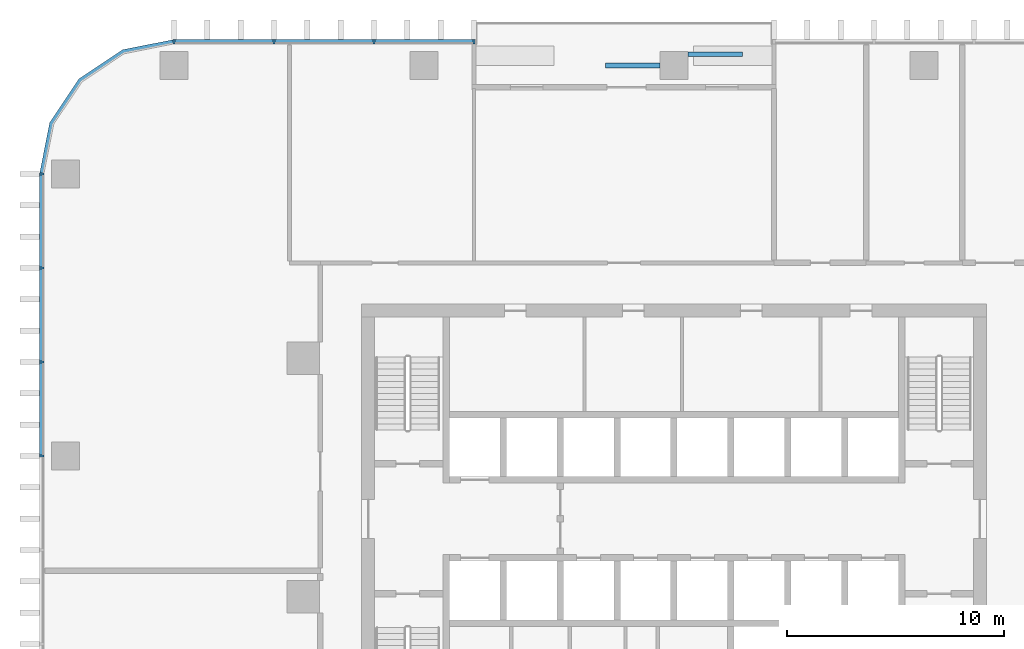
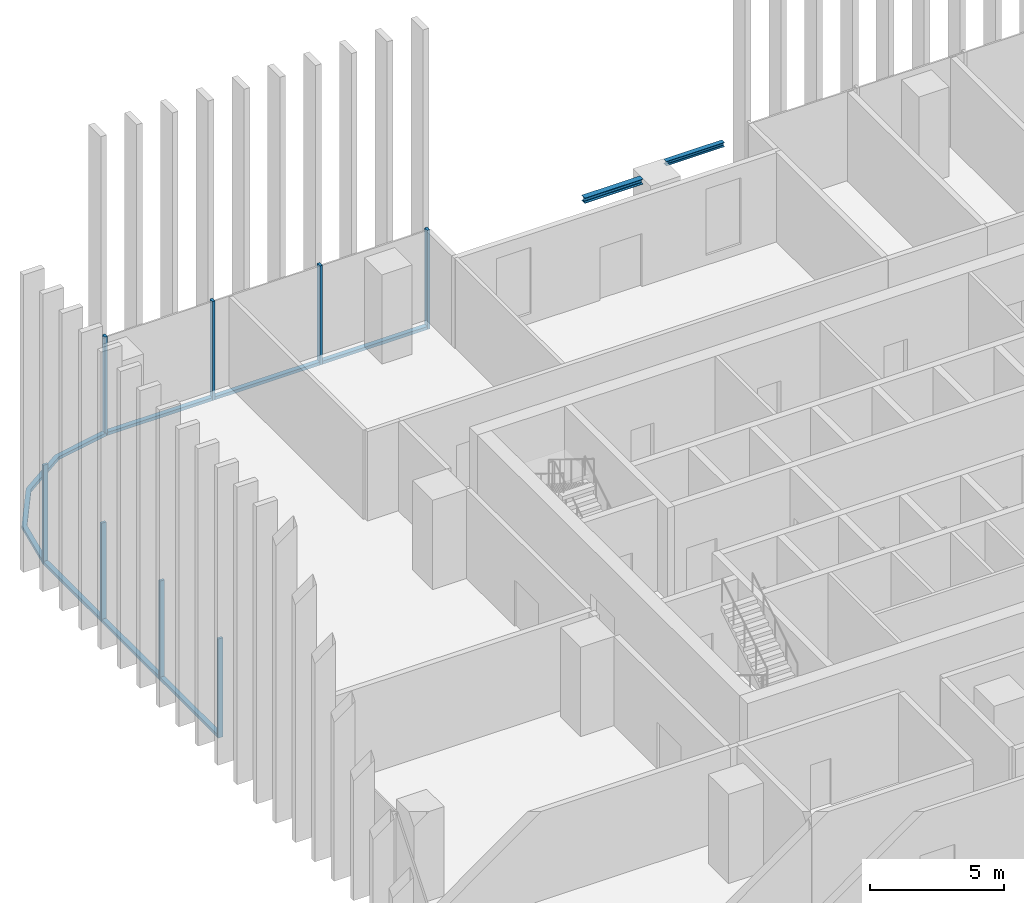
# One storey, part 4 of 17: 15 members, 2 beams, 3 elements without a shape of their own.
"""IFC4 building model written with IfcOpenShell, lengths in metres."""

from ifc_helpers import new_model, si_unit, direction, frame, origin, origin_2d, place, context, subcontext, project, spatial, polyline, rectangle, i_section, outline, extrude, material, material_profile, profile_set, type_object, element, aggregate, save


model = new_model("IFC4")

# Units and contexts
model_context = context("Model", 3, precision=1e-05, world=origin(), true_north=direction((0.0, 1.0)))
body_context = subcontext(model_context, "Body", "Model", "MODEL_VIEW")
ifc_project = project(units=[si_unit("LENGTHUNIT", "METRE"), si_unit("AREAUNIT", "SQUARE_METRE"), si_unit("VOLUMEUNIT", "CUBIC_METRE"), si_unit("PLANEANGLEUNIT", "RADIAN"), si_unit("MASSUNIT", "GRAM", prefix="KILO")], contexts=[model_context])

# Site, building, storey
site_placement = place(None, origin())
site = spatial("IfcSite", under=ifc_project, at=site_placement, CompositionType="ELEMENT")
building_placement = place(site_placement, origin())
building = spatial("IfcBuilding", under=site, at=building_placement, Name="Mopane Tessera Tower", CompositionType="ELEMENT")
storey_placement = place(building_placement, frame((0.0, 0.0, 121.60009765625)))
storey = spatial("IfcBuildingStorey", under=building, at=storey_placement, Name="L24", CompositionType="ELEMENT", Elevation=121.60009765625)

# Curtain wall, members
ifc_material_1 = material(Name="Aluminium frame", Category="aluminium")
curtain_wall_type = type_object("IfcCurtainWallType", Name="Lower tower unitised wall", PredefinedType="NOTDEFINED", material=ifc_material_1)
curtain_wall_1_placement = place(storey_placement, origin())
curtain_wall_1 = element("IfcCurtainWall", 1, at=curtain_wall_1_placement, inside=storey, type_object=curtain_wall_type, Name="e:cw:L24:N:7", PredefinedType="NOTDEFINED")
ifc_material_2 = material(Name="Aluminium frame", Category="aluminium")
ifc_material_profile_1 = material_profile(ifc_material_2, rectangle(XDim=0.110107421875, YDim=0.199951171875, at=origin_2d()))
ifc_profile_set_1 = profile_set([ifc_material_profile_1], Name="Aluminium frame")
member_type_1 = type_object("IfcMemberType", Name="Aluminium mullion 110 x 200", PredefinedType="MULLION", material=ifc_profile_set_1)
member_1_placement = place(storey_placement, frame((-9.219970703125, 25.60009765625, -0.4501953125), z_axis=(0.0, 0.0, 1.0), x_axis=(-1.0, 0.0, 0.0)))
member_1 = element("IfcMember", 2, at=member_1_placement, type_object=member_type_1, Name="e:cw:L24:N:7:mu7", PredefinedType="MULLION", context=body_context, shape_type="SweptSolid", body=[
    extrude(rectangle(XDim=0.110107421875, YDim=0.199951171875, at=origin_2d()), origin(), (0.0, 0.0, 1.0), 4.5),
])
member_2_placement = place(storey_placement, frame((-13.830078125, 25.60009765625, -0.4501953125), z_axis=(0.0, 0.0, 1.0), x_axis=(-1.0, 0.0, 0.0)))
member_2 = element("IfcMember", 3, at=member_2_placement, type_object=member_type_1, Name="e:cw:L24:N:7:mu8", PredefinedType="MULLION", context=body_context, shape_type="SweptSolid", body=[
    extrude(rectangle(XDim=0.110107421875, YDim=0.199951171875, at=origin_2d()), origin(), (0.0, 0.0, 1.0), 4.5),
])
member_3_placement = place(storey_placement, frame((-18.43994140625, 25.60009765625, -0.4501953125), z_axis=(0.0, 0.0, 1.0), x_axis=(-1.0, 0.0, 0.0)))
member_3 = element("IfcMember", 4, at=member_3_placement, type_object=member_type_1, Name="e:cw:L24:N:7:mu9", PredefinedType="MULLION", context=body_context, shape_type="SweptSolid", body=[
    extrude(rectangle(XDim=0.110107421875, YDim=0.199951171875, at=origin_2d()), origin(), (0.0, 0.0, 1.0), 4.5),
])
member_4_placement = place(storey_placement, frame((-23.050048828125, 25.60009765625, -0.4501953125), z_axis=(0.0, 0.0, 1.0), x_axis=(-1.0, 0.0, 0.0)))
member_4 = element("IfcMember", 5, at=member_4_placement, type_object=member_type_1, Name="e:cw:L24:N:7:mu10", PredefinedType="MULLION", context=body_context, shape_type="SweptSolid", body=[
    extrude(rectangle(XDim=0.110107421875, YDim=0.199951171875, at=origin_2d()), origin(), (0.0, 0.0, 1.0), 4.5),
])

curtain_wall_2_placement = place(storey_placement, origin())
curtain_wall_2 = element("IfcCurtainWall", 6, at=curtain_wall_2_placement, inside=storey, type_object=curtain_wall_type, Name="e:cw:L24:W:0", PredefinedType="NOTDEFINED")
member_5_placement = place(storey_placement, frame((-29.14990234375, 19.5, -0.4501953125), z_axis=(0.0, 0.0, 1.0), x_axis=(0.0, -1.0, 0.0)))
member_5 = element("IfcMember", 7, at=member_5_placement, type_object=member_type_1, Name="e:cw:L24:W:0:mu0", PredefinedType="MULLION", context=body_context, shape_type="SweptSolid", body=[
    extrude(rectangle(XDim=0.110107421875, YDim=0.199951171875, at=origin_2d()), origin(), (0.0, 0.0, 1.0), 4.5),
])
member_6_placement = place(storey_placement, frame((-29.14990234375, 15.166748046875, -0.4501953125), z_axis=(0.0, 0.0, 1.0), x_axis=(0.0, -1.0, 0.0)))
member_6 = element("IfcMember", 8, at=member_6_placement, type_object=member_type_1, Name="e:cw:L24:W:0:mu1", PredefinedType="MULLION", context=body_context, shape_type="SweptSolid", body=[
    extrude(rectangle(XDim=0.110107421875, YDim=0.199951171875, at=origin_2d()), origin(), (0.0, 0.0, 1.0), 4.5),
])
member_7_placement = place(storey_placement, frame((-29.14990234375, 10.833251953125, -0.4501953125), z_axis=(0.0, 0.0, 1.0), x_axis=(0.0, -1.0, 0.0)))
member_7 = element("IfcMember", 9, at=member_7_placement, type_object=member_type_1, Name="e:cw:L24:W:0:mu2", PredefinedType="MULLION", context=body_context, shape_type="SweptSolid", body=[
    extrude(rectangle(XDim=0.110107421875, YDim=0.199951171875, at=origin_2d()), origin(), (0.0, 0.0, 1.0), 4.5),
])
member_8_placement = place(storey_placement, frame((-29.14990234375, 6.5, -0.4501953125), z_axis=(0.0, 0.0, 1.0), x_axis=(0.0, -1.0, 0.0)))
member_8 = element("IfcMember", 10, at=member_8_placement, type_object=member_type_1, Name="e:cw:L24:W:0:mu3", PredefinedType="MULLION", context=body_context, shape_type="SweptSolid", body=[
    extrude(rectangle(XDim=0.110107421875, YDim=0.199951171875, at=origin_2d()), origin(), (0.0, 0.0, 1.0), 4.5),
])

# Member
ifc_material_3 = material(Name="Aluminium frame", Category="aluminium")
ifc_material_profile_2 = material_profile(ifc_material_3, rectangle(XDim=0.199951171875, YDim=0.139892578125, at=origin_2d()))
ifc_profile_set_2 = profile_set([ifc_material_profile_2], Name="Aluminium frame")
member_type_2 = type_object("IfcMemberType", Name="Aluminium transom 200 x 140", PredefinedType="USERDEFINED", material=ifc_profile_set_2)
member_9_placement = place(storey_placement, frame((-9.27490234375, 25.60009765625, -0.380126953125), z_axis=(-1.0, 0.0, 0.0), x_axis=(0.0, -1.0, 0.0)))
member_9 = element("IfcMember", 11, at=member_9_placement, type_object=member_type_2, Name="e:cw:L24:N:7:tr7", ObjectType="TRANSOM", PredefinedType="USERDEFINED", context=body_context, shape_type="SweptSolid", body=[
    extrude(rectangle(XDim=0.199951171875, YDim=0.139892578125, at=origin_2d()), origin(), (0.0, 0.0, 1.0), 4.5),
])

member_10_placement = place(storey_placement, frame((-13.885009765625, 25.60009765625, -0.380126953125), z_axis=(-1.0, 0.0, 0.0), x_axis=(0.0, -1.0, 0.0)))
member_10 = element("IfcMember", 12, at=member_10_placement, type_object=member_type_2, Name="e:cw:L24:N:7:tr8", ObjectType="TRANSOM", PredefinedType="USERDEFINED", context=body_context, shape_type="SweptSolid", body=[
    extrude(rectangle(XDim=0.199951171875, YDim=0.139892578125, at=origin_2d()), origin(), (0.0, 0.0, 1.0), 4.5),
])

member_11_placement = place(storey_placement, frame((-18.4951171875, 25.60009765625, -0.380126953125), z_axis=(-1.0, 0.0, 0.0), x_axis=(0.0, -1.0, 0.0)))
member_11 = element("IfcMember", 13, at=member_11_placement, type_object=member_type_2, Name="e:cw:L24:N:7:tr9", ObjectType="TRANSOM", PredefinedType="USERDEFINED", context=body_context, shape_type="SweptSolid", body=[
    extrude(rectangle(XDim=0.199951171875, YDim=0.139892578125, at=origin_2d()), origin(), (0.0, 0.0, 1.0), 4.5),
])

aggregate(curtain_wall_1, [member_1, member_2, member_3, member_4, member_9, member_10, member_11])

# Curtain wall, member
curtain_wall_3_placement = place(storey_placement, origin())
curtain_wall_3 = element("IfcCurtainWall", 14, at=curtain_wall_3_placement, inside=storey, type_object=curtain_wall_type, Name="e:cw:L24:CN", PredefinedType="NOTDEFINED")
member_12_placement = place(storey_placement, frame((0.0, 0.0, -0.4501953125)))
member_12 = element("IfcMember", 15, at=member_12_placement, type_object=member_type_2, Name="e:cw:L24:CN:tr", ObjectType="TRANSOM", PredefinedType="USERDEFINED", context=body_context, shape_type="SweptSolid", body=[
    extrude(outline(polyline([(-23.050048828125, 25.5), (-25.34619140625, 25.043212890625), (-27.292724609375, 23.74267578125), (-28.59326171875, 21.796142578125), (-29.050048828125, 19.5), (-29.25, 19.5), (-28.778076171875, 21.87255859375), (-27.43408203125, 23.884033203125), (-25.422607421875, 25.22802734375), (-23.050048828125, 25.699951171875), (-23.050048828125, 25.5)])), origin(), (0.0, 0.0, 1.0), 0.14013671875),
])
aggregate(curtain_wall_3, [member_12])

# Member
member_13_placement = place(storey_placement, frame((-29.14990234375, 19.445068359375, -0.380126953125), z_axis=(0.0, -1.0, 0.0), x_axis=(1.0, 0.0, 0.0)))
member_13 = element("IfcMember", 16, at=member_13_placement, type_object=member_type_2, Name="e:cw:L24:W:0:tr0", ObjectType="TRANSOM", PredefinedType="USERDEFINED", context=body_context, shape_type="SweptSolid", body=[
    extrude(rectangle(XDim=0.199951171875, YDim=0.139892578125, at=origin_2d()), origin(), (0.0, 0.0, 1.0), 4.223388671875),
])

member_14_placement = place(storey_placement, frame((-29.14990234375, 15.111572265625, -0.380126953125), z_axis=(0.0, -1.0, 0.0), x_axis=(1.0, 0.0, 0.0)))
member_14 = element("IfcMember", 17, at=member_14_placement, type_object=member_type_2, Name="e:cw:L24:W:0:tr1", ObjectType="TRANSOM", PredefinedType="USERDEFINED", context=body_context, shape_type="SweptSolid", body=[
    extrude(rectangle(XDim=0.199951171875, YDim=0.139892578125, at=origin_2d()), origin(), (0.0, 0.0, 1.0), 4.22314453125),
])

member_15_placement = place(storey_placement, frame((-29.14990234375, 10.7783203125, -0.380126953125), z_axis=(0.0, -1.0, 0.0), x_axis=(1.0, 0.0, 0.0)))
member_15 = element("IfcMember", 18, at=member_15_placement, type_object=member_type_2, Name="e:cw:L24:W:0:tr2", ObjectType="TRANSOM", PredefinedType="USERDEFINED", context=body_context, shape_type="SweptSolid", body=[
    extrude(rectangle(XDim=0.199951171875, YDim=0.139892578125, at=origin_2d()), origin(), (0.0, 0.0, 1.0), 4.223388671875),
])

aggregate(curtain_wall_2, [member_5, member_6, member_7, member_8, member_13, member_14, member_15])

# Beams
ifc_material_4 = material(Name="Structural steel S460", Category="steel")
ifc_material_profile_3 = material_profile(ifc_material_4, i_section(OverallWidth=0.239990234375, OverallDepth=0.239990234375, WebThickness=0.010009765625, FlangeThickness=0.01708984375, FilletRadius=0.02099609375, at=origin_2d()))
ifc_profile_set_3 = profile_set([ifc_material_profile_3], Name="Structural steel S460")
beam_type_1 = type_object("IfcBeamType", Name="Terrace spandrel beam HE 240 B", PredefinedType="SPANDREL", material=ifc_profile_set_3)
beam_1_placement = place(storey_placement, frame((-0.653076171875, 24.5, 3.929931640625), z_axis=(-1.0, 0.0, 0.0), x_axis=(0.0, -1.0, 0.0)))
element("IfcBeam", 19, at=beam_1_placement, inside=storey, type_object=beam_type_1, Name="Terrace spandrel beam N1 L25", PredefinedType="SPANDREL", context=body_context, shape_type="SweptSolid", body=[
    extrude(i_section(OverallWidth=0.239990234375, OverallDepth=0.239990234375, WebThickness=0.010009765625, FlangeThickness=0.01708984375, FilletRadius=0.02099609375, at=origin_2d()), origin(), (0.0, 0.0, 1.0), 2.5),
])
ifc_material_5 = material(Name="Structural steel S460", Category="steel")
ifc_material_profile_4 = material_profile(ifc_material_5, i_section(OverallWidth=0.199951171875, OverallDepth=0.199951171875, WebThickness=0.009033203125, FlangeThickness=0.014892578125, FilletRadius=0.01806640625, at=origin_2d()))
ifc_profile_set_4 = profile_set([ifc_material_profile_4], Name="Structural steel S460")
beam_type_2 = type_object("IfcBeamType", Name="Terrace trimmer beam HE 200 B", PredefinedType="BEAM", material=ifc_profile_set_4)
beam_2_placement = place(storey_placement, frame((0.653076171875, 25.02001953125, 3.949951171875), z_axis=(1.0, 0.0, 0.0), x_axis=(0.0, 1.0, 0.0)))
element("IfcBeam", 20, at=beam_2_placement, inside=storey, type_object=beam_type_2, Name="Terrace trimmer beam N1 L25", PredefinedType="BEAM", context=body_context, shape_type="SweptSolid", body=[
    extrude(i_section(OverallWidth=0.199951171875, OverallDepth=0.199951171875, WebThickness=0.009033203125, FlangeThickness=0.014892578125, FilletRadius=0.01806640625, at=origin_2d()), origin(), (0.0, 0.0, 1.0), 2.5),
])

save(model, "model.ifc")
